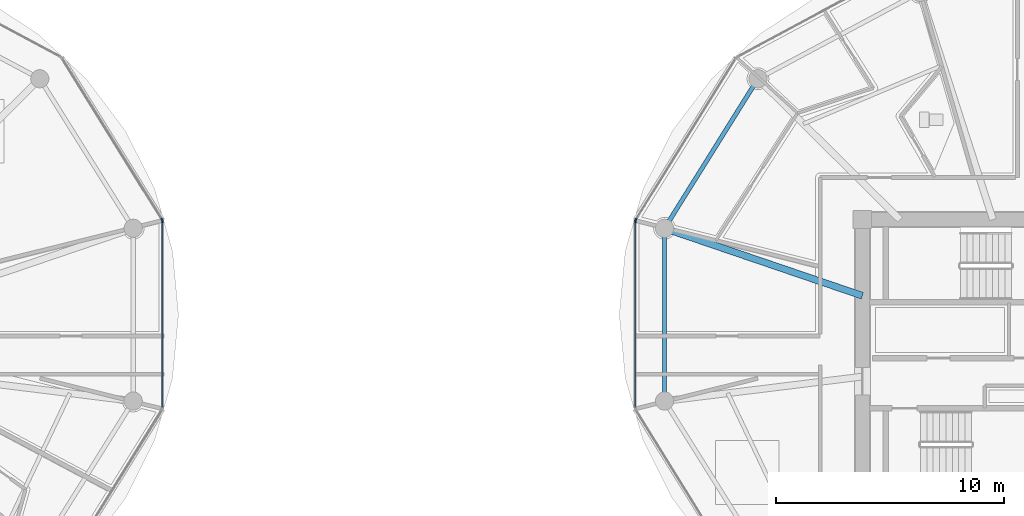
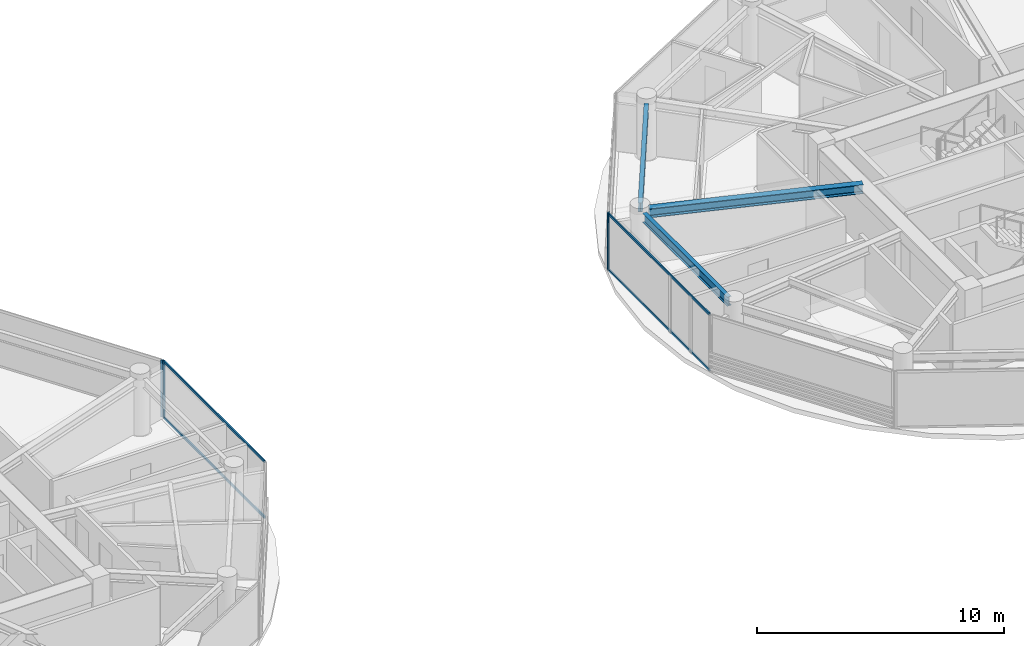
# One storey, part 7 of 25: 8 members, 3 beams, 4 elements without a shape of their own.
"""IFC4 building model written with IfcOpenShell, lengths in metres."""

from ifc_helpers import new_model, si_unit, direction, frame, origin, origin_2d, place, context, subcontext, project, spatial, rectangle, i_section, extrude, source, transform, mapped, material, layer, layer_set, material_profile, profile_set, type_object, type_shapes, element, aggregate, save


model = new_model("IFC4")

# Units and contexts
model_context = context("Model", 3, precision=1e-05, world=origin(), true_north=direction((0.0, 1.0)))
body_context = subcontext(model_context, "Body", "Model", "MODEL_VIEW")
ifc_project = project(units=[si_unit("LENGTHUNIT", "METRE"), si_unit("AREAUNIT", "SQUARE_METRE"), si_unit("VOLUMEUNIT", "CUBIC_METRE"), si_unit("PLANEANGLEUNIT", "RADIAN"), si_unit("MASSUNIT", "GRAM", prefix="KILO")], contexts=[model_context])

# Site, building, storey
site_placement = place(None, origin())
site = spatial("IfcSite", under=ifc_project, at=site_placement, CompositionType="ELEMENT")
building_placement = place(site_placement, origin())
building = spatial("IfcBuilding", under=site, at=building_placement, Name="Norrkilde Senior Care Towers", CompositionType="ELEMENT")
storey_placement = place(building_placement, frame((0.0, 0.0, 161.75)))
storey = spatial("IfcBuildingStorey", under=building, at=storey_placement, Name="L50", CompositionType="ELEMENT", Elevation=161.75)

# Beams
ifc_material_1 = material(Name="Steel S355", Category="steel")
ifc_material_profile_1 = material_profile(ifc_material_1, i_section(OverallWidth=0.18994140625, OverallDepth=0.449951171875, WebThickness=0.009521484375, FlangeThickness=0.0146484375, FilletRadius=0.02099609375, at=origin_2d()), Name="IPE 450")
ifc_profile_set_1 = profile_set([ifc_material_profile_1], Name="Steel S355")
beam_type_1 = type_object("IfcBeamType", Name="Perimeter Ring Spandrel Z3 IPE450", PredefinedType="SPANDREL", material=ifc_profile_set_1)
shared_shape_1 = source(origin(), body_context, "Body", "SweptSolid", [
    extrude(i_section(OverallWidth=0.18994140625, OverallDepth=0.449951171875, WebThickness=0.009521484375, FlangeThickness=0.0146484375, FilletRadius=0.02099609375, at=origin_2d()), origin(), (0.0, 0.0, 1.0), 7.0234375),
])
beam_1_placement = place(storey_placement, frame((15.57666015625, 11.8291015625, 2.5849609375), z_axis=(-0.529789577822, -0.848129119433, 0.0), x_axis=(0.848129119433, -0.529789577822, 0.0)))
element("IfcBeam", 1, at=beam_1_placement, inside=storey, type_object=beam_type_1, Name="L50 Drum E Perimeter Spandrel 05", PredefinedType="SPANDREL", context=body_context, shape_type="MappedRepresentation", body=[
    mapped(shared_shape_1, transform((0.0, 0.0, 0.0), x_axis=(1.0, 0.0, 0.0), y_axis=(0.0, 1.0, 0.0), z_axis=(0.0, 0.0, 1.0), scale=1.0)),
])
ifc_material_profile_2 = material_profile(ifc_material_1, i_section(OverallWidth=0.300048828125, OverallDepth=0.449951171875, WebThickness=0.013916015625, FlangeThickness=0.02587890625, FilletRadius=0.027099609375, at=origin_2d()), Name="HEB 450")
ifc_profile_set_2 = profile_set([ifc_material_profile_2], Name="Steel S355")
beam_type_2 = type_object("IfcBeamType", Name="Radial Floor Beam Z3 HEB450", PredefinedType="BEAM", material=ifc_profile_set_2)
shared_shape_2 = source(origin(), body_context, "Body", "SweptSolid", [
    extrude(i_section(OverallWidth=0.300048828125, OverallDepth=0.449951171875, WebThickness=0.013916015625, FlangeThickness=0.02587890625, FilletRadius=0.027099609375, at=origin_2d()), origin(), (0.0, 0.0, 1.0), 8.8154296875),
])
type_shapes(beam_type_2, [shared_shape_2])
beam_2_placement = place(storey_placement, frame((20.35009765625, 2.607177734375, 2.5849609375), z_axis=(-0.946540556878, 0.322584832539, 0.0), x_axis=(-0.322584832539, -0.946540556878, 0.0)))
element("IfcBeam", 2, at=beam_2_placement, inside=storey, type_object=beam_type_2, Name="L50 Drum E Radial Floor Beam 06", PredefinedType="BEAM", context=body_context, shape_type="MappedRepresentation", body=[
    mapped(shared_shape_2, transform((0.0, 0.0, 0.0), x_axis=(1.0, 0.0, 0.0), y_axis=(0.0, 1.0, 0.0), z_axis=(0.0, 0.0, 1.0), scale=1.0)),
])
shared_shape_3 = source(origin(), body_context, "Body", "SweptSolid", [
    extrude(i_section(OverallWidth=0.18994140625, OverallDepth=0.449951171875, WebThickness=0.009521484375, FlangeThickness=0.0146484375, FilletRadius=0.02099609375, at=origin_2d()), origin(), (0.0, 0.0, 1.0), 6.86328125),
])
type_shapes(beam_type_1, [shared_shape_1, shared_shape_3])
beam_3_placement = place(storey_placement, frame((11.6650390625, 5.20703125, 2.5849609375), z_axis=(0.0, -1.0, 0.0), x_axis=(1.0, 0.0, 0.0)))
element("IfcBeam", 3, at=beam_3_placement, inside=storey, type_object=beam_type_1, Name="L50 Drum E Perimeter Spandrel 06", PredefinedType="SPANDREL", context=body_context, shape_type="MappedRepresentation", body=[
    mapped(shared_shape_3, transform((0.0, 0.0, 0.0), x_axis=(1.0, 0.0, 0.0), y_axis=(0.0, 1.0, 0.0), z_axis=(0.0, 0.0, 1.0), scale=1.0)),
])

# Curtain wall, member
ifc_material_2 = material(Name="Triple Low-E Insulated Glazing", Category="glass")
ifc_layer = layer(ifc_material_2, 0.18994140625)
ifc_layer_set = layer_set([ifc_layer], Name="Triple Low-E Insulated Glazing")
curtain_wall_type = type_object("IfcCurtainWallType", Name="CW4 Zone 3 Senior Residence Curtain Wall", PredefinedType="NOTDEFINED", material=ifc_layer_set)
curtain_wall_1_placement = place(storey_placement, origin())
curtain_wall_1 = element("IfcCurtainWall", 4, at=curtain_wall_1_placement, inside=storey, type_object=curtain_wall_type, Name="L50 Drum W Curtain Wall 00", PredefinedType="NOTDEFINED")
ifc_material_3 = material(Name="Anodised Aluminium", Category="aluminium")
ifc_material_profile_3 = material_profile(ifc_material_3, rectangle(XDim=0.06494140625, YDim=0.14990234375, at=origin_2d()), Name="ALU MULL 65x150")
ifc_profile_set_3 = profile_set([ifc_material_profile_3], Name="Anodised Aluminium")
member_type_1 = type_object("IfcMemberType", Name="Curtain Wall Mullion Z3-Z4 65x150", PredefinedType="MULLION", material=ifc_profile_set_3)
shared_shape_4 = source(origin(), body_context, "Body", "SweptSolid", [
    extrude(rectangle(XDim=0.06494140625, YDim=0.14990234375, at=origin_2d()), origin(), (0.0, 0.0, 1.0), 2.81005859375),
])
type_shapes(member_type_1, [shared_shape_4])
member_1_placement = place(storey_placement, frame((-10.3974609375, 5.93896484375, 0.0), z_axis=(0.0, 0.0, 1.0), x_axis=(0.84963405474, 0.52737270789, 0.0)))
member_1 = element("IfcMember", 5, at=member_1_placement, type_object=member_type_1, Name="CW-4 mullion 2", PredefinedType="MULLION", context=body_context, shape_type="MappedRepresentation", body=[
    mapped(shared_shape_4, transform((0.0, 0.0, 0.0), x_axis=(1.0, 0.0, 0.0), y_axis=(0.0, 1.0, 0.0), z_axis=(0.0, 0.0, 1.0), scale=1.0)),
])
aggregate(curtain_wall_1, [member_1])

curtain_wall_2_placement = place(storey_placement, origin())
curtain_wall_2 = element("IfcCurtainWall", 6, at=curtain_wall_2_placement, inside=storey, type_object=curtain_wall_type, Name="L50 Drum W Curtain Wall 11", PredefinedType="NOTDEFINED")
member_2_placement = place(storey_placement, frame((-10.38037109375, 5.878662109375, 0.0), z_axis=(0.0, 0.0, 1.0), x_axis=(1.0, 0.0, 0.0)))
member_2 = element("IfcMember", 7, at=member_2_placement, type_object=member_type_1, Name="CW-4 mullion 1", PredefinedType="MULLION", context=body_context, shape_type="MappedRepresentation", body=[
    mapped(shared_shape_4, transform((0.0, 0.0, 0.0), x_axis=(1.0, 0.0, 0.0), y_axis=(0.0, 1.0, 0.0), z_axis=(0.0, 0.0, 1.0), scale=1.0)),
])

curtain_wall_3_placement = place(storey_placement, origin())
curtain_wall_3 = element("IfcCurtainWall", 8, at=curtain_wall_3_placement, inside=storey, type_object=curtain_wall_type, Name="L50 Drum E Curtain Wall 04", PredefinedType="NOTDEFINED")
member_3_placement = place(storey_placement, frame((10.3974609375, 5.93896484375, 0.0), z_axis=(0.0, 0.0, 1.0), x_axis=(-0.84963405474, 0.52737270789, 0.0)))
member_3 = element("IfcMember", 9, at=member_3_placement, type_object=member_type_1, Name="CW-4 mullion 1", PredefinedType="MULLION", context=body_context, shape_type="MappedRepresentation", body=[
    mapped(shared_shape_4, transform((0.0, 0.0, 0.0), x_axis=(1.0, 0.0, 0.0), y_axis=(0.0, 1.0, 0.0), z_axis=(0.0, 0.0, 1.0), scale=1.0)),
])
aggregate(curtain_wall_3, [member_3])

curtain_wall_4_placement = place(storey_placement, origin())
curtain_wall_4 = element("IfcCurtainWall", 10, at=curtain_wall_4_placement, inside=storey, type_object=curtain_wall_type, Name="L50 Drum E Curtain Wall 05", PredefinedType="NOTDEFINED")
member_4_placement = place(storey_placement, frame((10.38037109375, 5.878662109375, 0.0), z_axis=(0.0, 0.0, 1.0), x_axis=(-1.0, 0.0, 0.0)))
member_4 = element("IfcMember", 11, at=member_4_placement, type_object=member_type_1, Name="CW-4 mullion 2", PredefinedType="MULLION", context=body_context, shape_type="MappedRepresentation", body=[
    mapped(shared_shape_4, transform((0.0, 0.0, 0.0), x_axis=(1.0, 0.0, 0.0), y_axis=(0.0, 1.0, 0.0), z_axis=(0.0, 0.0, 1.0), scale=1.0)),
])

# Member
ifc_material_profile_4 = material_profile(ifc_material_3, rectangle(XDim=0.06005859375, YDim=0.1201171875, at=origin_2d()), Name="ALU TRAN 60x120")
ifc_profile_set_4 = profile_set([ifc_material_profile_4], Name="Anodised Aluminium")
member_type_2 = type_object("IfcMemberType", Name="Curtain Wall Transom Typical 60x120", PredefinedType="USERDEFINED", material=ifc_profile_set_4)
shared_shape_5 = source(origin(), body_context, "Body", "SweptSolid", [
    extrude(rectangle(XDim=0.06005859375, YDim=0.1201171875, at=origin_2d()), origin(), (0.0, 0.0, 1.0), 8.141845703125),
])
type_shapes(member_type_2, [shared_shape_5])
member_5_placement = place(storey_placement, frame((-10.38037109375, 5.84619140625, 0.030029296875), z_axis=(0.0, -1.0, 0.0), x_axis=(1.0, 0.0, 0.0)))
member_5 = element("IfcMember", 12, at=member_5_placement, type_object=member_type_2, Name="CW-4 transom 1.1", ObjectType="TRANSOM", PredefinedType="USERDEFINED", context=body_context, shape_type="MappedRepresentation", body=[
    mapped(shared_shape_5, transform((0.0, 0.0, 0.0), x_axis=(1.0, 0.0, 0.0), y_axis=(0.0, 1.0, 0.0), z_axis=(0.0, 0.0, 1.0), scale=1.0)),
])

member_6_placement = place(storey_placement, frame((-10.38037109375, 5.84619140625, 2.780029296875), z_axis=(0.0, -1.0, 0.0), x_axis=(1.0, 0.0, 0.0)))
member_6 = element("IfcMember", 13, at=member_6_placement, type_object=member_type_2, Name="CW-4 transom 1.2", ObjectType="TRANSOM", PredefinedType="USERDEFINED", context=body_context, shape_type="MappedRepresentation", body=[
    mapped(shared_shape_5, transform((0.0, 0.0, 0.0), x_axis=(1.0, 0.0, 0.0), y_axis=(0.0, 1.0, 0.0), z_axis=(0.0, 0.0, 1.0), scale=1.0)),
])

aggregate(curtain_wall_2, [member_2, member_5, member_6])

member_7_placement = place(storey_placement, frame((10.38037109375, -2.295654296875, 0.030029296875), z_axis=(0.0, 1.0, 0.0), x_axis=(-1.0, 0.0, 0.0)))
member_7 = element("IfcMember", 14, at=member_7_placement, type_object=member_type_2, Name="CW-4 transom 1.1", ObjectType="TRANSOM", PredefinedType="USERDEFINED", context=body_context, shape_type="MappedRepresentation", body=[
    mapped(shared_shape_5, transform((0.0, 0.0, 0.0), x_axis=(1.0, 0.0, 0.0), y_axis=(0.0, 1.0, 0.0), z_axis=(0.0, 0.0, 1.0), scale=1.0)),
])

member_8_placement = place(storey_placement, frame((10.38037109375, -2.295654296875, 2.780029296875), z_axis=(0.0, 1.0, 0.0), x_axis=(-1.0, 0.0, 0.0)))
member_8 = element("IfcMember", 15, at=member_8_placement, type_object=member_type_2, Name="CW-4 transom 1.2", ObjectType="TRANSOM", PredefinedType="USERDEFINED", context=body_context, shape_type="MappedRepresentation", body=[
    mapped(shared_shape_5, transform((0.0, 0.0, 0.0), x_axis=(1.0, 0.0, 0.0), y_axis=(0.0, 1.0, 0.0), z_axis=(0.0, 0.0, 1.0), scale=1.0)),
])

aggregate(curtain_wall_4, [member_4, member_7, member_8])

save(model, "model.ifc")
